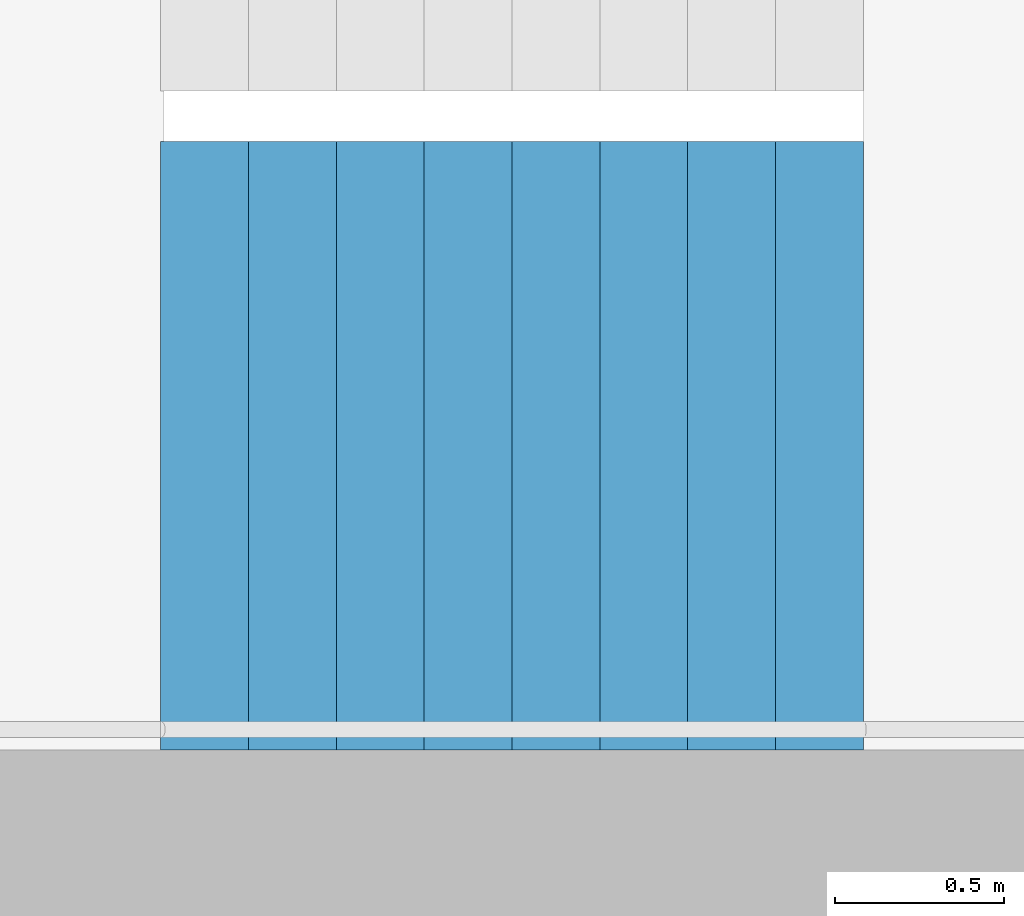
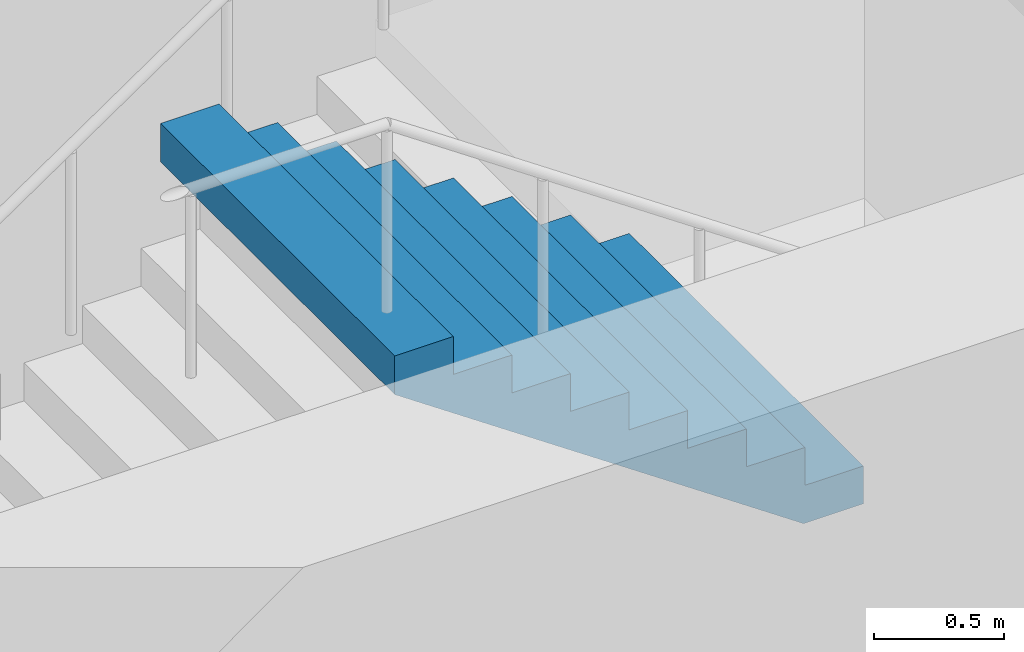
# One storey, part 22 of 26: 1 stair flight, 1 element without a shape of its own.
"""IFC4 building model written with IfcOpenShell, lengths in metres."""

from ifc_helpers import new_model, si_unit, direction, frame, origin, place, context, subcontext, project, spatial, triangles, material, type_object, element, aggregate, save


model = new_model("IFC4")

# Units and contexts
model_context = context("Model", 3, precision=1e-05, world=origin(), true_north=direction((0.0, 1.0)))
body_context = subcontext(model_context, "Body", "Model", "MODEL_VIEW")
ifc_project = project(units=[si_unit("LENGTHUNIT", "METRE"), si_unit("AREAUNIT", "SQUARE_METRE"), si_unit("VOLUMEUNIT", "CUBIC_METRE"), si_unit("PLANEANGLEUNIT", "RADIAN"), si_unit("MASSUNIT", "GRAM", prefix="KILO")], contexts=[model_context])

# Site, building, storey
site_placement = place(None, origin())
site = spatial("IfcSite", under=ifc_project, at=site_placement, CompositionType="ELEMENT")
building_placement = place(site_placement, origin())
building = spatial("IfcBuilding", under=site, at=building_placement, Name="Hakoniwa Tower and Hamabe Station Hall", CompositionType="ELEMENT")
storey_placement = place(building_placement, frame((0.0, 0.0, 172.60009765625)))
storey = spatial("IfcBuildingStorey", under=building, at=storey_placement, Name="L49", CompositionType="ELEMENT", Elevation=172.60009765625)

# Stair, stair flight
ifc_material_1 = material(Name="Concrete C40", Category="concrete")
stair_type = type_object("IfcStairType", Name="ESCAPE STAIR 1800", PredefinedType="HALF_TURN_STAIR", material=ifc_material_1)
stair_placement = place(storey_placement, origin())
stair = element("IfcStair", 1, at=stair_placement, inside=storey, type_object=stair_type, Name="Escape stair ST-4 L49", PredefinedType="HALF_TURN_STAIR")
ifc_material_2 = material(Name="Concrete C40", Category="concrete")
stair_flight_type = type_object("IfcStairFlightType", Name="STAIR FLIGHT 1800", PredefinedType="STRAIGHT", material=ifc_material_2)
stair_flight_placement = place(storey_placement, frame((25.47998046875, -6.60009765625, 1.599853515625), z_axis=(0.0, 0.0, 1.0), x_axis=(-1.0, 0.0, 0.0)))
stair_flight = element("IfcStairFlight", 2, at=stair_flight_placement, type_object=stair_flight_type, Name="ST-4 flight 2", NumberOfRisers=9, NumberOfTreads=8, PredefinedType="STRAIGHT", RiserHeight=0.177777778, TreadLength=0.26, context=body_context, shape_type="Tessellation", body=[
    triangles([(0.0, 0.89990234375, 0.0), (0.260009765625, 0.89990234375, 0.0), (0.265625, 0.89990234375, 0.0), (0.52001953125, 0.89990234375, 0.174072265625), (0.780029296875, 0.89990234375, 0.351806640625), (1.0400390625, 0.89990234375, 0.529541015625), (1.300048828125, 0.89990234375, 0.707275390625), (1.56005859375, 0.89990234375, 0.885009765625), (1.820068359375, 0.89990234375, 1.062744140625), (2.080078125, 0.89990234375, 1.24072265625), (2.080078125, 0.89990234375, 1.422119140625), (1.820068359375, 0.89990234375, 1.422119140625), (1.820068359375, 0.89990234375, 1.244384765625), (1.56005859375, 0.89990234375, 1.244384765625), (1.56005859375, 0.89990234375, 1.066650390625), (1.300048828125, 0.89990234375, 1.066650390625), (1.300048828125, 0.89990234375, 0.888916015625), (1.0400390625, 0.89990234375, 0.888916015625), (1.0400390625, 0.89990234375, 0.711181640625), (0.780029296875, 0.89990234375, 0.711181640625), (0.780029296875, 0.89990234375, 0.533447265625), (0.52001953125, 0.89990234375, 0.533447265625), (0.52001953125, 0.89990234375, 0.35546875), (0.265625, 0.89990234375, 0.35546875), (0.260009765625, 0.89990234375, 0.35546875), (0.260009765625, 0.89990234375, 0.177734375), (0.0, 0.89990234375, 0.177734375), (0.0, 0.06005859375, 0.0), (0.260009765625, 0.06005859375, 0.0), (0.265625, 0.06005859375, 0.0), (0.52001953125, 0.06005859375, 0.174072265625), (0.780029296875, 0.06005859375, 0.351806640625), (1.0400390625, 0.06005859375, 0.529541015625), (1.300048828125, 0.06005859375, 0.707275390625), (1.56005859375, 0.06005859375, 0.885009765625), (1.820068359375, 0.06005859375, 1.062744140625), (2.080078125, 0.06005859375, 1.24072265625), (2.080078125, 0.06005859375, 1.422119140625), (1.820068359375, 0.06005859375, 1.422119140625), (1.820068359375, 0.06005859375, 1.244384765625), (1.56005859375, 0.06005859375, 1.244384765625), (1.56005859375, 0.06005859375, 1.066650390625), (1.300048828125, 0.06005859375, 1.066650390625), (1.300048828125, 0.06005859375, 0.888916015625), (1.0400390625, 0.06005859375, 0.888916015625), (1.0400390625, 0.06005859375, 0.711181640625), (0.780029296875, 0.06005859375, 0.711181640625), (0.780029296875, 0.06005859375, 0.533447265625), (0.52001953125, 0.06005859375, 0.533447265625), (0.52001953125, 0.06005859375, 0.35546875), (0.265625, 0.06005859375, 0.35546875), (0.260009765625, 0.06005859375, 0.35546875), (0.260009765625, 0.06005859375, 0.177734375), (0.0, 0.06005859375, 0.177734375), (0.0, 0.04296875, 0.0), (0.260009765625, 0.04296875, 0.0), (0.265625, 0.04296875, 0.0), (0.52001953125, 0.04296875, 0.174072265625), (0.780029296875, 0.04296875, 0.351806640625), (1.0400390625, 0.04296875, 0.529541015625), (1.300048828125, 0.04296875, 0.707275390625), (1.56005859375, 0.04296875, 0.885009765625), (1.820068359375, 0.04296875, 1.062744140625), (2.080078125, 0.04296875, 1.24072265625), (2.080078125, 0.04296875, 1.422119140625), (1.820068359375, 0.04296875, 1.422119140625), (1.820068359375, 0.04296875, 1.244384765625), (1.56005859375, 0.04296875, 1.244384765625), (1.56005859375, 0.04296875, 1.066650390625), (1.300048828125, 0.04296875, 1.066650390625), (1.300048828125, 0.04296875, 0.888916015625), (1.0400390625, 0.04296875, 0.888916015625), (1.0400390625, 0.04296875, 0.711181640625), (0.780029296875, 0.04296875, 0.711181640625), (0.780029296875, 0.04296875, 0.533447265625), (0.52001953125, 0.04296875, 0.533447265625), (0.52001953125, 0.04296875, 0.35546875), (0.265625, 0.04296875, 0.35546875), (0.260009765625, 0.04296875, 0.35546875), (0.260009765625, 0.04296875, 0.177734375), (0.0, 0.04296875, 0.177734375), (0.0, 0.025634765625, 0.0), (0.260009765625, 0.025634765625, 0.0), (0.265625, 0.025634765625, 0.0), (0.52001953125, 0.025634765625, 0.174072265625), (0.780029296875, 0.025634765625, 0.351806640625), (1.0400390625, 0.025634765625, 0.529541015625), (1.300048828125, 0.025634765625, 0.707275390625), (1.56005859375, 0.025634765625, 0.885009765625), (1.820068359375, 0.025634765625, 1.062744140625), (2.080078125, 0.025634765625, 1.24072265625), (2.080078125, 0.025634765625, 1.422119140625), (1.820068359375, 0.025634765625, 1.422119140625), (1.820068359375, 0.025634765625, 1.244384765625), (1.56005859375, 0.025634765625, 1.244384765625), (1.56005859375, 0.025634765625, 1.066650390625), (1.300048828125, 0.025634765625, 1.066650390625), (1.300048828125, 0.025634765625, 0.888916015625), (1.0400390625, 0.025634765625, 0.888916015625), (1.0400390625, 0.025634765625, 0.711181640625), (0.780029296875, 0.025634765625, 0.711181640625), (0.780029296875, 0.025634765625, 0.533447265625), (0.52001953125, 0.025634765625, 0.533447265625), (0.52001953125, 0.025634765625, 0.35546875), (0.265625, 0.025634765625, 0.35546875), (0.260009765625, 0.025634765625, 0.35546875), (0.260009765625, 0.025634765625, 0.177734375), (0.0, 0.025634765625, 0.177734375), (0.0, 0.008544921875, 0.0), (0.260009765625, 0.008544921875, 0.0), (0.265625, 0.008544921875, 0.0), (0.52001953125, 0.008544921875, 0.174072265625), (0.780029296875, 0.008544921875, 0.351806640625), (1.0400390625, 0.008544921875, 0.529541015625), (1.300048828125, 0.008544921875, 0.707275390625), (1.56005859375, 0.008544921875, 0.885009765625), (1.820068359375, 0.008544921875, 1.062744140625), (2.080078125, 0.008544921875, 1.24072265625), (2.080078125, 0.008544921875, 1.422119140625), (1.820068359375, 0.008544921875, 1.422119140625), (1.820068359375, 0.008544921875, 1.244384765625), (1.56005859375, 0.008544921875, 1.244384765625), (1.56005859375, 0.008544921875, 1.066650390625), (1.300048828125, 0.008544921875, 1.066650390625), (1.300048828125, 0.008544921875, 0.888916015625), (1.0400390625, 0.008544921875, 0.888916015625), (1.0400390625, 0.008544921875, 0.711181640625), (0.780029296875, 0.008544921875, 0.711181640625), (0.780029296875, 0.008544921875, 0.533447265625), (0.52001953125, 0.008544921875, 0.533447265625), (0.52001953125, 0.008544921875, 0.35546875), (0.265625, 0.008544921875, 0.35546875), (0.260009765625, 0.008544921875, 0.35546875), (0.260009765625, 0.008544921875, 0.177734375), (0.0, 0.008544921875, 0.177734375), (0.0, -0.008544921875, 0.0), (0.260009765625, -0.008544921875, 0.0), (0.265625, -0.008544921875, 0.0), (0.52001953125, -0.008544921875, 0.174072265625), (0.780029296875, -0.008544921875, 0.351806640625), (1.0400390625, -0.008544921875, 0.529541015625), (1.300048828125, -0.008544921875, 0.707275390625), (1.56005859375, -0.008544921875, 0.885009765625), (1.820068359375, -0.008544921875, 1.062744140625), (2.080078125, -0.008544921875, 1.24072265625), (2.080078125, -0.008544921875, 1.422119140625), (1.820068359375, -0.008544921875, 1.422119140625), (1.820068359375, -0.008544921875, 1.244384765625), (1.56005859375, -0.008544921875, 1.244384765625), (1.56005859375, -0.008544921875, 1.066650390625), (1.300048828125, -0.008544921875, 1.066650390625), (1.300048828125, -0.008544921875, 0.888916015625), (1.0400390625, -0.008544921875, 0.888916015625), (1.0400390625, -0.008544921875, 0.711181640625), (0.780029296875, -0.008544921875, 0.711181640625), (0.780029296875, -0.008544921875, 0.533447265625), (0.52001953125, -0.008544921875, 0.533447265625), (0.52001953125, -0.008544921875, 0.35546875), (0.265625, -0.008544921875, 0.35546875), (0.260009765625, -0.008544921875, 0.35546875), (0.260009765625, -0.008544921875, 0.177734375), (0.0, -0.008544921875, 0.177734375), (0.0, -0.025634765625, 0.0), (0.260009765625, -0.025634765625, 0.0), (0.265625, -0.025634765625, 0.0), (0.52001953125, -0.025634765625, 0.174072265625), (0.780029296875, -0.025634765625, 0.351806640625), (1.0400390625, -0.025634765625, 0.529541015625), (1.300048828125, -0.025634765625, 0.707275390625), (1.56005859375, -0.025634765625, 0.885009765625), (1.820068359375, -0.025634765625, 1.062744140625), (2.080078125, -0.025634765625, 1.24072265625), (2.080078125, -0.025634765625, 1.422119140625), (1.820068359375, -0.025634765625, 1.422119140625), (1.820068359375, -0.025634765625, 1.244384765625), (1.56005859375, -0.025634765625, 1.244384765625), (1.56005859375, -0.025634765625, 1.066650390625), (1.300048828125, -0.025634765625, 1.066650390625), (1.300048828125, -0.025634765625, 0.888916015625), (1.0400390625, -0.025634765625, 0.888916015625), (1.0400390625, -0.025634765625, 0.711181640625), (0.780029296875, -0.025634765625, 0.711181640625), (0.780029296875, -0.025634765625, 0.533447265625), (0.52001953125, -0.025634765625, 0.533447265625), (0.52001953125, -0.025634765625, 0.35546875), (0.265625, -0.025634765625, 0.35546875), (0.260009765625, -0.025634765625, 0.35546875), (0.260009765625, -0.025634765625, 0.177734375), (0.0, -0.025634765625, 0.177734375), (0.0, -0.04296875, 0.0), (0.260009765625, -0.04296875, 0.0), (0.265625, -0.04296875, 0.0), (0.52001953125, -0.04296875, 0.174072265625), (0.780029296875, -0.04296875, 0.351806640625), (1.0400390625, -0.04296875, 0.529541015625), (1.300048828125, -0.04296875, 0.707275390625), (1.56005859375, -0.04296875, 0.885009765625), (1.820068359375, -0.04296875, 1.062744140625), (2.080078125, -0.04296875, 1.24072265625), (2.080078125, -0.04296875, 1.422119140625), (1.820068359375, -0.04296875, 1.422119140625), (1.820068359375, -0.04296875, 1.244384765625), (1.56005859375, -0.04296875, 1.244384765625), (1.56005859375, -0.04296875, 1.066650390625), (1.300048828125, -0.04296875, 1.066650390625), (1.300048828125, -0.04296875, 0.888916015625), (1.0400390625, -0.04296875, 0.888916015625), (1.0400390625, -0.04296875, 0.711181640625), (0.780029296875, -0.04296875, 0.711181640625), (0.780029296875, -0.04296875, 0.533447265625), (0.52001953125, -0.04296875, 0.533447265625), (0.52001953125, -0.04296875, 0.35546875), (0.265625, -0.04296875, 0.35546875), (0.260009765625, -0.04296875, 0.35546875), (0.260009765625, -0.04296875, 0.177734375), (0.0, -0.04296875, 0.177734375), (0.0, -0.06005859375, 0.0), (0.260009765625, -0.06005859375, 0.0), (0.265625, -0.06005859375, 0.0), (0.52001953125, -0.06005859375, 0.174072265625), (0.780029296875, -0.06005859375, 0.351806640625), (1.0400390625, -0.06005859375, 0.529541015625), (1.300048828125, -0.06005859375, 0.707275390625), (1.56005859375, -0.06005859375, 0.885009765625), (1.820068359375, -0.06005859375, 1.062744140625), (2.080078125, -0.06005859375, 1.24072265625), (2.080078125, -0.06005859375, 1.422119140625), (1.820068359375, -0.06005859375, 1.422119140625), (1.820068359375, -0.06005859375, 1.244384765625), (1.56005859375, -0.06005859375, 1.244384765625), (1.56005859375, -0.06005859375, 1.066650390625), (1.300048828125, -0.06005859375, 1.066650390625), (1.300048828125, -0.06005859375, 0.888916015625), (1.0400390625, -0.06005859375, 0.888916015625), (1.0400390625, -0.06005859375, 0.711181640625), (0.780029296875, -0.06005859375, 0.711181640625), (0.780029296875, -0.06005859375, 0.533447265625), (0.52001953125, -0.06005859375, 0.533447265625), (0.52001953125, -0.06005859375, 0.35546875), (0.265625, -0.06005859375, 0.35546875), (0.260009765625, -0.06005859375, 0.35546875), (0.260009765625, -0.06005859375, 0.177734375), (0.0, -0.06005859375, 0.177734375), (0.0, -0.89990234375, 0.0), (0.260009765625, -0.89990234375, 0.0), (0.265625, -0.89990234375, 0.0), (0.52001953125, -0.89990234375, 0.174072265625), (0.780029296875, -0.89990234375, 0.351806640625), (1.0400390625, -0.89990234375, 0.529541015625), (1.300048828125, -0.89990234375, 0.707275390625), (1.56005859375, -0.89990234375, 0.885009765625), (1.820068359375, -0.89990234375, 1.062744140625), (2.080078125, -0.89990234375, 1.24072265625), (2.080078125, -0.89990234375, 1.422119140625), (1.820068359375, -0.89990234375, 1.422119140625), (1.820068359375, -0.89990234375, 1.244384765625), (1.56005859375, -0.89990234375, 1.244384765625), (1.56005859375, -0.89990234375, 1.066650390625), (1.300048828125, -0.89990234375, 1.066650390625), (1.300048828125, -0.89990234375, 0.888916015625), (1.0400390625, -0.89990234375, 0.888916015625), (1.0400390625, -0.89990234375, 0.711181640625), (0.780029296875, -0.89990234375, 0.711181640625), (0.780029296875, -0.89990234375, 0.533447265625), (0.52001953125, -0.89990234375, 0.533447265625), (0.52001953125, -0.89990234375, 0.35546875), (0.265625, -0.89990234375, 0.35546875), (0.260009765625, -0.89990234375, 0.35546875), (0.260009765625, -0.89990234375, 0.177734375), (0.0, -0.89990234375, 0.177734375)], [[2, 27, 26], [245, 269, 270], [2, 1, 27], [245, 270, 244], [3, 25, 24], [246, 267, 268], [3, 26, 25], [246, 268, 269], [3, 2, 26], [246, 269, 245], [4, 24, 23], [247, 266, 267], [4, 3, 24], [247, 267, 246], [5, 22, 21], [248, 264, 265], [5, 23, 22], [248, 265, 266], [5, 4, 23], [248, 266, 247], [6, 20, 19], [249, 262, 263], [6, 21, 20], [249, 263, 264], [6, 5, 21], [249, 264, 248], [7, 18, 17], [250, 260, 261], [7, 19, 18], [250, 261, 262], [7, 6, 19], [250, 262, 249], [8, 16, 15], [251, 258, 259], [8, 17, 16], [251, 259, 260], [8, 7, 17], [251, 260, 250], [9, 14, 13], [252, 256, 257], [9, 15, 14], [252, 257, 258], [9, 8, 15], [252, 258, 251], [10, 12, 11], [253, 254, 255], [10, 13, 12], [253, 255, 256], [10, 9, 13], [253, 256, 252], [1, 2, 29], [1, 29, 28], [28, 29, 56], [28, 56, 55], [55, 56, 83], [55, 83, 82], [82, 83, 110], [82, 110, 109], [109, 110, 137], [109, 137, 136], [136, 137, 164], [136, 164, 163], [163, 164, 191], [163, 191, 190], [190, 191, 218], [190, 218, 217], [217, 218, 245], [217, 245, 244], [2, 3, 30], [2, 30, 29], [29, 30, 57], [29, 57, 56], [56, 57, 84], [56, 84, 83], [83, 84, 111], [83, 111, 110], [110, 111, 138], [110, 138, 137], [137, 138, 165], [137, 165, 164], [164, 165, 192], [164, 192, 191], [191, 192, 219], [191, 219, 218], [218, 219, 246], [218, 246, 245], [3, 4, 31], [3, 31, 30], [30, 31, 58], [30, 58, 57], [57, 58, 85], [57, 85, 84], [84, 85, 112], [84, 112, 111], [111, 112, 139], [111, 139, 138], [138, 139, 166], [138, 166, 165], [165, 166, 193], [165, 193, 192], [192, 193, 220], [192, 220, 219], [219, 220, 247], [219, 247, 246], [4, 5, 32], [4, 32, 31], [31, 32, 59], [31, 59, 58], [58, 59, 86], [58, 86, 85], [85, 86, 113], [85, 113, 112], [112, 113, 140], [112, 140, 139], [139, 140, 167], [139, 167, 166], [166, 167, 194], [166, 194, 193], [193, 194, 221], [193, 221, 220], [220, 221, 248], [220, 248, 247], [5, 6, 33], [5, 33, 32], [32, 33, 60], [32, 60, 59], [59, 60, 87], [59, 87, 86], [86, 87, 114], [86, 114, 113], [113, 114, 141], [113, 141, 140], [140, 141, 168], [140, 168, 167], [167, 168, 195], [167, 195, 194], [194, 195, 222], [194, 222, 221], [221, 222, 249], [221, 249, 248], [6, 7, 34], [6, 34, 33], [33, 34, 61], [33, 61, 60], [60, 61, 88], [60, 88, 87], [87, 88, 115], [87, 115, 114], [114, 115, 142], [114, 142, 141], [141, 142, 169], [141, 169, 168], [168, 169, 196], [168, 196, 195], [195, 196, 223], [195, 223, 222], [222, 223, 250], [222, 250, 249], [7, 8, 35], [7, 35, 34], [34, 35, 62], [34, 62, 61], [61, 62, 89], [61, 89, 88], [88, 89, 116], [88, 116, 115], [115, 116, 143], [115, 143, 142], [142, 143, 170], [142, 170, 169], [169, 170, 197], [169, 197, 196], [196, 197, 224], [196, 224, 223], [223, 224, 251], [223, 251, 250], [8, 9, 36], [8, 36, 35], [35, 36, 63], [35, 63, 62], [62, 63, 90], [62, 90, 89], [89, 90, 117], [89, 117, 116], [116, 117, 144], [116, 144, 143], [143, 144, 171], [143, 171, 170], [170, 171, 198], [170, 198, 197], [197, 198, 225], [197, 225, 224], [224, 225, 252], [224, 252, 251], [9, 10, 37], [9, 37, 36], [36, 37, 64], [36, 64, 63], [63, 64, 91], [63, 91, 90], [90, 91, 118], [90, 118, 117], [117, 118, 145], [117, 145, 144], [144, 145, 172], [144, 172, 171], [171, 172, 199], [171, 199, 198], [198, 199, 226], [198, 226, 225], [225, 226, 253], [225, 253, 252], [10, 11, 38], [10, 38, 37], [37, 38, 65], [37, 65, 64], [64, 65, 92], [64, 92, 91], [91, 92, 119], [91, 119, 118], [118, 119, 146], [118, 146, 145], [145, 146, 173], [145, 173, 172], [172, 173, 200], [172, 200, 199], [199, 200, 227], [199, 227, 226], [226, 227, 254], [226, 254, 253], [11, 12, 39], [11, 39, 38], [38, 39, 66], [38, 66, 65], [65, 66, 93], [65, 93, 92], [92, 93, 120], [92, 120, 119], [119, 120, 147], [119, 147, 146], [146, 147, 174], [146, 174, 173], [173, 174, 201], [173, 201, 200], [200, 201, 228], [200, 228, 227], [227, 228, 255], [227, 255, 254], [12, 13, 40], [12, 40, 39], [39, 40, 67], [39, 67, 66], [66, 67, 94], [66, 94, 93], [93, 94, 121], [93, 121, 120], [120, 121, 148], [120, 148, 147], [147, 148, 175], [147, 175, 174], [174, 175, 202], [174, 202, 201], [201, 202, 229], [201, 229, 228], [228, 229, 256], [228, 256, 255], [13, 14, 41], [13, 41, 40], [40, 41, 68], [40, 68, 67], [67, 68, 95], [67, 95, 94], [94, 95, 122], [94, 122, 121], [121, 122, 149], [121, 149, 148], [148, 149, 176], [148, 176, 175], [175, 176, 203], [175, 203, 202], [202, 203, 230], [202, 230, 229], [229, 230, 257], [229, 257, 256], [14, 15, 42], [14, 42, 41], [41, 42, 69], [41, 69, 68], [68, 69, 96], [68, 96, 95], [95, 96, 123], [95, 123, 122], [122, 123, 150], [122, 150, 149], [149, 150, 177], [149, 177, 176], [176, 177, 204], [176, 204, 203], [203, 204, 231], [203, 231, 230], [230, 231, 258], [230, 258, 257], [15, 16, 43], [15, 43, 42], [42, 43, 70], [42, 70, 69], [69, 70, 97], [69, 97, 96], [96, 97, 124], [96, 124, 123], [123, 124, 151], [123, 151, 150], [150, 151, 178], [150, 178, 177], [177, 178, 205], [177, 205, 204], [204, 205, 232], [204, 232, 231], [231, 232, 259], [231, 259, 258], [16, 17, 44], [16, 44, 43], [43, 44, 71], [43, 71, 70], [70, 71, 98], [70, 98, 97], [97, 98, 125], [97, 125, 124], [124, 125, 152], [124, 152, 151], [151, 152, 179], [151, 179, 178], [178, 179, 206], [178, 206, 205], [205, 206, 233], [205, 233, 232], [232, 233, 260], [232, 260, 259], [17, 18, 45], [17, 45, 44], [44, 45, 72], [44, 72, 71], [71, 72, 99], [71, 99, 98], [98, 99, 126], [98, 126, 125], [125, 126, 153], [125, 153, 152], [152, 153, 180], [152, 180, 179], [179, 180, 207], [179, 207, 206], [206, 207, 234], [206, 234, 233], [233, 234, 261], [233, 261, 260], [18, 19, 46], [18, 46, 45], [45, 46, 73], [45, 73, 72], [72, 73, 100], [72, 100, 99], [99, 100, 127], [99, 127, 126], [126, 127, 154], [126, 154, 153], [153, 154, 181], [153, 181, 180], [180, 181, 208], [180, 208, 207], [207, 208, 235], [207, 235, 234], [234, 235, 262], [234, 262, 261], [19, 20, 47], [19, 47, 46], [46, 47, 74], [46, 74, 73], [73, 74, 101], [73, 101, 100], [100, 101, 128], [100, 128, 127], [127, 128, 155], [127, 155, 154], [154, 155, 182], [154, 182, 181], [181, 182, 209], [181, 209, 208], [208, 209, 236], [208, 236, 235], [235, 236, 263], [235, 263, 262], [20, 21, 48], [20, 48, 47], [47, 48, 75], [47, 75, 74], [74, 75, 102], [74, 102, 101], [101, 102, 129], [101, 129, 128], [128, 129, 156], [128, 156, 155], [155, 156, 183], [155, 183, 182], [182, 183, 210], [182, 210, 209], [209, 210, 237], [209, 237, 236], [236, 237, 264], [236, 264, 263], [21, 22, 49], [21, 49, 48], [48, 49, 76], [48, 76, 75], [75, 76, 103], [75, 103, 102], [102, 103, 130], [102, 130, 129], [129, 130, 157], [129, 157, 156], [156, 157, 184], [156, 184, 183], [183, 184, 211], [183, 211, 210], [210, 211, 238], [210, 238, 237], [237, 238, 265], [237, 265, 264], [22, 23, 50], [22, 50, 49], [49, 50, 77], [49, 77, 76], [76, 77, 104], [76, 104, 103], [103, 104, 131], [103, 131, 130], [130, 131, 158], [130, 158, 157], [157, 158, 185], [157, 185, 184], [184, 185, 212], [184, 212, 211], [211, 212, 239], [211, 239, 238], [238, 239, 266], [238, 266, 265], [23, 24, 51], [23, 51, 50], [50, 51, 78], [50, 78, 77], [77, 78, 105], [77, 105, 104], [104, 105, 132], [104, 132, 131], [131, 132, 159], [131, 159, 158], [158, 159, 186], [158, 186, 185], [185, 186, 213], [185, 213, 212], [212, 213, 240], [212, 240, 239], [239, 240, 267], [239, 267, 266], [24, 25, 52], [24, 52, 51], [51, 52, 79], [51, 79, 78], [78, 79, 106], [78, 106, 105], [105, 106, 133], [105, 133, 132], [132, 133, 160], [132, 160, 159], [159, 160, 187], [159, 187, 186], [186, 187, 214], [186, 214, 213], [213, 214, 241], [213, 241, 240], [240, 241, 268], [240, 268, 267], [25, 26, 53], [25, 53, 52], [52, 53, 80], [52, 80, 79], [79, 80, 107], [79, 107, 106], [106, 107, 134], [106, 134, 133], [133, 134, 161], [133, 161, 160], [160, 161, 188], [160, 188, 187], [187, 188, 215], [187, 215, 214], [214, 215, 242], [214, 242, 241], [241, 242, 269], [241, 269, 268], [26, 27, 54], [26, 54, 53], [53, 54, 81], [53, 81, 80], [80, 81, 108], [80, 108, 107], [107, 108, 135], [107, 135, 134], [134, 135, 162], [134, 162, 161], [161, 162, 189], [161, 189, 188], [188, 189, 216], [188, 216, 215], [215, 216, 243], [215, 243, 242], [242, 243, 270], [242, 270, 269], [27, 1, 28], [27, 28, 54], [54, 28, 55], [54, 55, 81], [81, 55, 82], [81, 82, 108], [108, 82, 109], [108, 109, 135], [135, 109, 136], [135, 136, 162], [162, 136, 163], [162, 163, 189], [189, 163, 190], [189, 190, 216], [216, 190, 217], [216, 217, 243], [243, 217, 244], [243, 244, 270]], closed=True),
])
aggregate(stair, [stair_flight])

save(model, "model.ifc")
